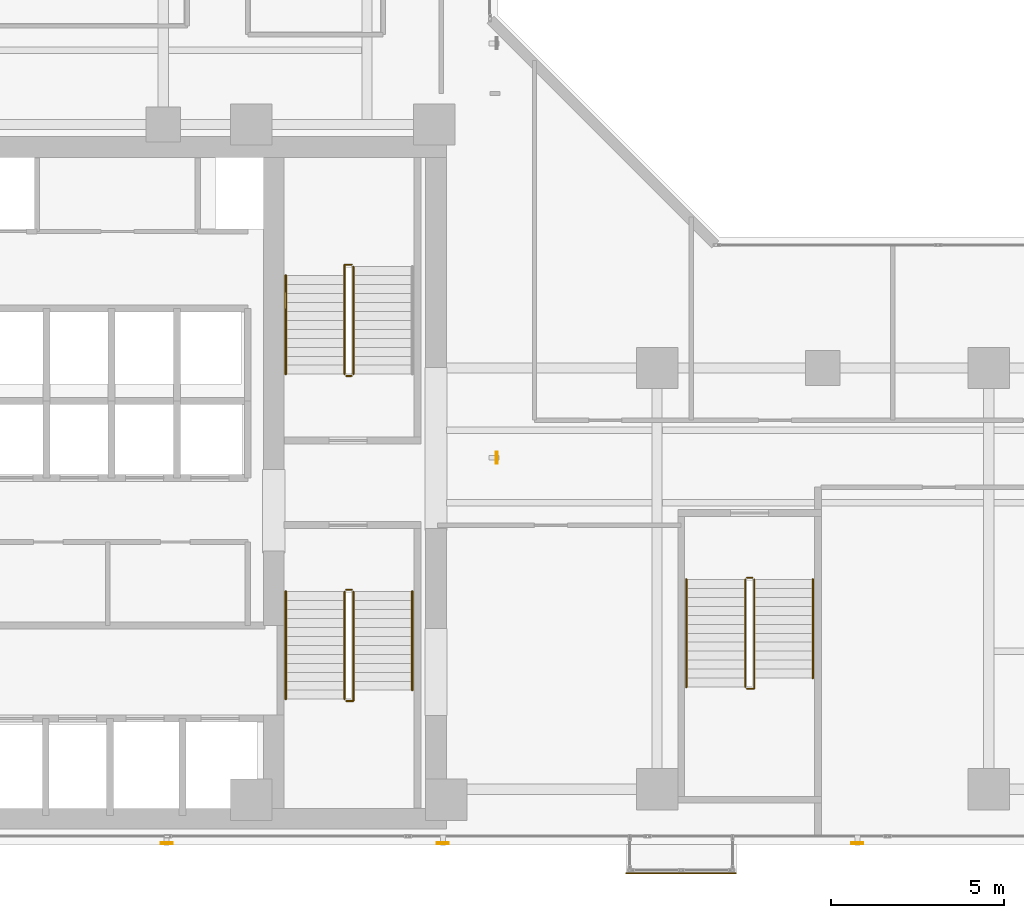
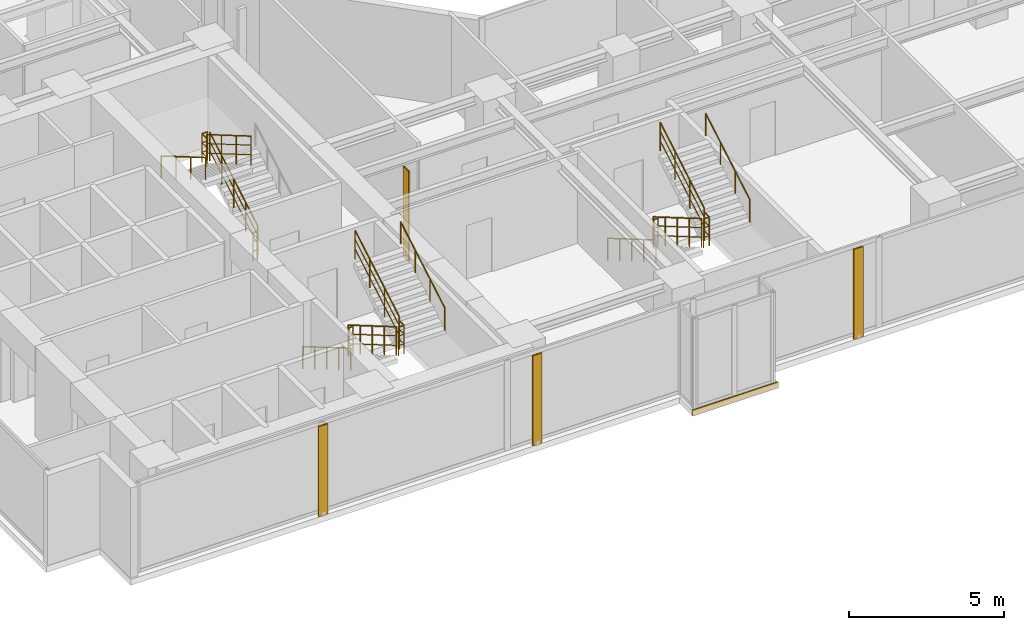
# One storey, part 23 of 24: 17 railings, 4 shading devices, 1 covering.
"""IFC4 building model written with IfcOpenShell, lengths in metres."""

from ifc_helpers import new_model, si_unit, direction, frame, origin, origin_2d, place, context, subcontext, project, spatial, rectangle, hollow_rectangle, circle, extrude, material, layer, layer_set, material_profile, profile_set, type_object, element, save


model = new_model("IFC4")

# Units and contexts
model_context = context("Model", 3, precision=1e-05, world=origin(), true_north=direction((0.0, 1.0)))
body_context = subcontext(model_context, "Body", "Model", "MODEL_VIEW")
ifc_project = project(units=[si_unit("LENGTHUNIT", "METRE"), si_unit("AREAUNIT", "SQUARE_METRE"), si_unit("VOLUMEUNIT", "CUBIC_METRE"), si_unit("PLANEANGLEUNIT", "RADIAN"), si_unit("MASSUNIT", "GRAM", prefix="KILO")], contexts=[model_context])

# Site, building, storey
site_placement = place(None, origin())
site = spatial("IfcSite", under=ifc_project, at=site_placement, CompositionType="ELEMENT")
building_placement = place(site_placement, origin())
building = spatial("IfcBuilding", under=site, at=building_placement, Name="Kolvaren Waterfront Exchange", CompositionType="ELEMENT")
storey_placement = place(building_placement, frame((0.0, 0.0, 153.800048828125)))
storey = spatial("IfcBuildingStorey", under=building, at=storey_placement, Name="L39", CompositionType="ELEMENT", Elevation=153.800048828125)

# Covering
ifc_material_1 = material(Name="Anodised bronze fascia aluminium", Category="aluminium")
ifc_layer = layer(ifc_material_1, 0.034912109375, Name="Anodised bronze fascia aluminium")
ifc_layer_set = layer_set([ifc_layer], Name="Anodised bronze fascia aluminium")
covering_type = type_object("IfcCoveringType", Name="ARC-CLAD-BRONZE-35", PredefinedType="CLADDING", material=ifc_layer_set)
covering_placement = place(storey_placement, frame((27.89990234375, 2.77001953125, -0.22021484375), z_axis=(0.0, 0.0, 1.0), x_axis=(1.0, 0.0, 0.0)))
element("IfcCovering", 1, at=covering_placement, inside=storey, type_object=covering_type, Name="L39 ribbed anodised bronze bay-box fascia", PredefinedType="CLADDING", context=body_context, shape_type="SweptSolid", body=[
    extrude(rectangle(XDim=3.199951171875, YDim=0.034912109375, at=origin_2d()), origin(), (0.0, 0.0, 1.0), 0.239990234375),
])

# Shading devices
ifc_material_2 = material(Name="Anodised bronze aluminium 6063-T6", Category="aluminium")
ifc_material_profile = material_profile(ifc_material_2, hollow_rectangle(XDim=0.06005859375, YDim=0.35009765625, WallThickness=0.0048828125, at=origin_2d()), Name="BRZ-FIN-350x60x5")
ifc_profile_set = profile_set([ifc_material_profile], Name="Anodised bronze aluminium 6063-T6")
shading_device_type = type_object("IfcShadingDeviceType", Name="ARC-FIN-350", PredefinedType="USERDEFINED", material=ifc_profile_set)
for number, where, z_axis, x_axis, name in (
    (2, (13.0, 3.639892578125, 0.0), (0.0, 0.0, 1.0), (0.0, -1.0, 0.0), "L39 anodised bronze solar shading fin FIN-L39-S1"),
    (3, (21.0, 3.639892578125, 0.0), (0.0, 0.0, 1.0), (0.0, -1.0, 0.0), "L39 anodised bronze solar shading fin FIN-L39-S2"),
    (4, (33.0, 3.639892578125, 0.0), (0.0, 0.0, 1.0), (0.0, -1.0, 0.0), "L39 anodised bronze solar shading fin FIN-L39-S3"),
    (5, (22.56005859375, 14.800048828125, 0.0), (0.0, 0.0, 1.0), (1.0, 0.0, 0.0), "L39 anodised bronze solar shading fin FIN-L39-E1"),
):
    element("IfcShadingDevice", number, at=place(storey_placement, frame(where, z_axis=z_axis, x_axis=x_axis)), inside=storey, type_object=shading_device_type, Name=name, ObjectType="SOLAR FIN", PredefinedType="USERDEFINED", context=body_context, shape_type="SweptSolid", body=[
        extrude(hollow_rectangle(XDim=0.06005859375, YDim=0.35009765625, WallThickness=0.0048828125, at=origin_2d()), origin(), (0.0, 0.0, 1.0), 3.56005859375),
    ])

# Railings
ifc_material_3 = material(Name="Stainless steel 316", Category="steel")
railing_type_1 = type_object("IfcRailingType", Name="ARC-GUARD-STAIR", PredefinedType="GUARDRAIL", material=ifc_material_3)
railing_1_placement = place(storey_placement, frame((18.14990234375, 10.929931640625, 0.15185546875)))
element("IfcRailing", 6, at=railing_1_placement, inside=storey, type_object=railing_type_1, Name="L39 ST1 stair guard 1", PredefinedType="GUARDRAIL", context=body_context, shape_type="SweptSolid", body=[
    extrude(circle(Radius=0.02392578125, at=origin_2d()), frame((0.0, 0.0, 1.1259765625), z_axis=(0.0, -0.86329090724, 0.504706656858), x_axis=(1.0, 0.0, 0.0)), (0.0, 0.0, 1.0), 3.614013671875),
    extrude(circle(Radius=0.01611328125, at=origin_2d()), frame((0.0, 0.0, 0.390869140625), z_axis=(0.0, -0.86329090724, 0.504706656858), x_axis=(1.0, 0.0, 0.0)), (0.0, 0.0, 1.0), 3.614013671875),
    extrude(circle(Radius=0.01611328125, at=origin_2d()), frame((0.0, 0.0, 0.7705078125), z_axis=(0.0, -0.86329090724, 0.504706656858), x_axis=(1.0, 0.0, 0.0)), (0.0, 0.0, 1.0), 3.614013671875),
    extrude(circle(Radius=0.02099609375, at=origin_2d()), origin(), (0.0, 0.0, 1.0), 1.101806640625),
    extrude(circle(Radius=0.02099609375, at=origin_2d()), frame((0.0, -0.780029296875, 0.4560546875)), (0.0, 0.0, 1.0), 1.101806640625),
    extrude(circle(Radius=0.02099609375, at=origin_2d()), frame((0.0, -1.56005859375, 0.912109375)), (0.0, 0.0, 1.0), 1.101806640625),
    extrude(circle(Radius=0.02099609375, at=origin_2d()), frame((0.0, -2.33984375, 1.367919921875)), (0.0, 0.0, 1.0), 1.101806640625),
    extrude(circle(Radius=0.02099609375, at=origin_2d()), frame((0.0, -3.119873046875, 1.823974609375)), (0.0, 0.0, 1.0), 1.101806640625),
])
railing_2_placement = place(storey_placement, frame((18.199951171875, 7.760009765625, 1.975830078125)))
element("IfcRailing", 7, at=railing_2_placement, inside=storey, type_object=railing_type_1, Name="L39 ST1 stair guard 2", PredefinedType="GUARDRAIL", context=body_context, shape_type="SweptSolid", body=[
    extrude(circle(Radius=0.02392578125, at=origin_2d()), frame((0.0, 0.0, 1.1259765625), z_axis=(1.0, 0.0, 0.0), x_axis=(0.0, 1.0, 0.0)), (0.0, 0.0, 1.0), 0.2099609375),
    extrude(circle(Radius=0.01611328125, at=origin_2d()), frame((0.0, 0.0, 0.390869140625), z_axis=(1.0, 0.0, 0.0), x_axis=(0.0, 1.0, 0.0)), (0.0, 0.0, 1.0), 0.2099609375),
    extrude(circle(Radius=0.01611328125, at=origin_2d()), frame((0.0, 0.0, 0.7705078125), z_axis=(1.0, 0.0, 0.0), x_axis=(0.0, 1.0, 0.0)), (0.0, 0.0, 1.0), 0.2099609375),
    extrude(circle(Radius=0.02392578125, at=origin_2d()), frame((0.2099609375, 0.0, 1.1259765625), z_axis=(0.0, 1.0, 0.0), x_axis=(-1.0, 0.0, 0.0)), (0.0, 0.0, 1.0), 0.31005859375),
    extrude(circle(Radius=0.01611328125, at=origin_2d()), frame((0.2099609375, 0.0, 0.390869140625), z_axis=(0.0, 1.0, 0.0), x_axis=(-1.0, 0.0, 0.0)), (0.0, 0.0, 1.0), 0.31005859375),
    extrude(circle(Radius=0.01611328125, at=origin_2d()), frame((0.2099609375, 0.0, 0.7705078125), z_axis=(0.0, 1.0, 0.0), x_axis=(-1.0, 0.0, 0.0)), (0.0, 0.0, 1.0), 0.31005859375),
    extrude(circle(Radius=0.02099609375, at=origin_2d()), origin(), (0.0, 0.0, 1.0), 1.101806640625),
    extrude(circle(Radius=0.02099609375, at=origin_2d()), frame((0.2099609375, 0.0, 0.0)), (0.0, 0.0, 1.0), 1.101806640625),
    extrude(circle(Radius=0.02099609375, at=origin_2d()), frame((0.2099609375, 0.31005859375, 0.0)), (0.0, 0.0, 1.0), 1.101806640625),
])
railing_3_placement = place(storey_placement, frame((18.409912109375, 8.070068359375, 2.1279296875)))
element("IfcRailing", 8, at=railing_3_placement, inside=storey, type_object=railing_type_1, Name="L39 ST1 stair guard 3", PredefinedType="GUARDRAIL", context=body_context, shape_type="SweptSolid", body=[
    extrude(circle(Radius=0.02392578125, at=origin_2d()), frame((0.0, 0.0, 1.1259765625), z_axis=(0.0, 0.863270611444, 0.50474137082), x_axis=(-1.0, 0.0, 0.0)), (0.0, 0.0, 1.0), 3.312744140625),
    extrude(circle(Radius=0.01611328125, at=origin_2d()), frame((0.0, 0.0, 0.390869140625), z_axis=(0.0, 0.863270611444, 0.50474137082), x_axis=(-1.0, 0.0, 0.0)), (0.0, 0.0, 1.0), 3.312744140625),
    extrude(circle(Radius=0.01611328125, at=origin_2d()), frame((0.0, 0.0, 0.7705078125), z_axis=(0.0, 0.863270611444, 0.50474137082), x_axis=(-1.0, 0.0, 0.0)), (0.0, 0.0, 1.0), 3.312744140625),
    extrude(circle(Radius=0.02099609375, at=origin_2d()), origin(), (0.0, 0.0, 1.0), 1.101806640625),
    extrude(circle(Radius=0.02099609375, at=origin_2d()), frame((0.0, 0.953369140625, 0.557373046875)), (0.0, 0.0, 1.0), 1.101806640625),
    extrude(circle(Radius=0.02099609375, at=origin_2d()), frame((0.0, 1.906494140625, 1.11474609375)), (0.0, 0.0, 1.0), 1.101806640625),
    extrude(circle(Radius=0.02099609375, at=origin_2d()), frame((0.0, 2.85986328125, 1.672119140625)), (0.0, 0.0, 1.0), 1.101806640625),
])
railing_4_placement = place(storey_placement, frame((18.199951171875, 10.97998046875, 0.0)))
element("IfcRailing", 9, at=railing_4_placement, inside=storey, type_object=railing_type_1, Name="L39 ST1 stair guard 4", PredefinedType="GUARDRAIL", context=body_context, shape_type="SweptSolid", body=[
    extrude(circle(Radius=0.02392578125, at=origin_2d()), frame((0.0, 0.0, 1.1259765625), z_axis=(1.0, 0.0, 0.0), x_axis=(0.0, 1.0, 0.0)), (0.0, 0.0, 1.0), 0.16015625),
    extrude(circle(Radius=0.01611328125, at=origin_2d()), frame((0.0, 0.0, 0.390869140625), z_axis=(1.0, 0.0, 0.0), x_axis=(0.0, 1.0, 0.0)), (0.0, 0.0, 1.0), 0.16015625),
    extrude(circle(Radius=0.01611328125, at=origin_2d()), frame((0.0, 0.0, 0.7705078125), z_axis=(1.0, 0.0, 0.0), x_axis=(0.0, 1.0, 0.0)), (0.0, 0.0, 1.0), 0.16015625),
    extrude(circle(Radius=0.02099609375, at=origin_2d()), origin(), (0.0, 0.0, 1.0), 1.101806640625),
    extrude(circle(Radius=0.02099609375, at=origin_2d()), frame((0.16015625, 0.0, 0.0)), (0.0, 0.0, 1.0), 1.101806640625),
])
railing_5_placement = place(storey_placement, frame((18.409912109375, 17.219970703125, 0.15185546875)))
element("IfcRailing", 10, at=railing_5_placement, inside=storey, type_object=railing_type_1, Name="L39 ST2 stair guard 1", PredefinedType="GUARDRAIL", context=body_context, shape_type="SweptSolid", body=[
    extrude(circle(Radius=0.02392578125, at=origin_2d()), frame((0.0, 0.0, 1.1259765625), z_axis=(0.0, 0.86330811405, 0.504677223793), x_axis=(-1.0, 0.0, 0.0)), (0.0, 0.0, 1.0), 3.6142578125),
    extrude(circle(Radius=0.01611328125, at=origin_2d()), frame((0.0, 0.0, 0.390869140625), z_axis=(0.0, 0.86330811405, 0.504677223793), x_axis=(-1.0, 0.0, 0.0)), (0.0, 0.0, 1.0), 3.6142578125),
    extrude(circle(Radius=0.01611328125, at=origin_2d()), frame((0.0, 0.0, 0.7705078125), z_axis=(0.0, 0.86330811405, 0.504677223793), x_axis=(-1.0, 0.0, 0.0)), (0.0, 0.0, 1.0), 3.6142578125),
    extrude(circle(Radius=0.02099609375, at=origin_2d()), origin(), (0.0, 0.0, 1.0), 1.101806640625),
    extrude(circle(Radius=0.02099609375, at=origin_2d()), frame((0.0, 0.780029296875, 0.4560546875)), (0.0, 0.0, 1.0), 1.101806640625),
    extrude(circle(Radius=0.02099609375, at=origin_2d()), frame((0.0, 1.56005859375, 0.912109375)), (0.0, 0.0, 1.0), 1.101806640625),
    extrude(circle(Radius=0.02099609375, at=origin_2d()), frame((0.0, 2.340087890625, 1.367919921875)), (0.0, 0.0, 1.0), 1.101806640625),
    extrude(circle(Radius=0.02099609375, at=origin_2d()), frame((0.0, 3.1201171875, 1.823974609375)), (0.0, 0.0, 1.0), 1.101806640625),
])
railing_6_placement = place(storey_placement, frame((18.360107421875, 20.389892578125, 1.975830078125)))
element("IfcRailing", 11, at=railing_6_placement, inside=storey, type_object=railing_type_1, Name="L39 ST2 stair guard 2", PredefinedType="GUARDRAIL", context=body_context, shape_type="SweptSolid", body=[
    extrude(circle(Radius=0.02392578125, at=origin_2d()), frame((0.0, 0.0, 1.1259765625), z_axis=(-1.0, 0.0, 0.0), x_axis=(0.0, -1.0, 0.0)), (0.0, 0.0, 1.0), 0.210205078125),
    extrude(circle(Radius=0.01611328125, at=origin_2d()), frame((0.0, 0.0, 0.390869140625), z_axis=(-1.0, 0.0, 0.0), x_axis=(0.0, -1.0, 0.0)), (0.0, 0.0, 1.0), 0.210205078125),
    extrude(circle(Radius=0.01611328125, at=origin_2d()), frame((0.0, 0.0, 0.7705078125), z_axis=(-1.0, 0.0, 0.0), x_axis=(0.0, -1.0, 0.0)), (0.0, 0.0, 1.0), 0.210205078125),
    extrude(circle(Radius=0.02392578125, at=origin_2d()), frame((-0.210205078125, 0.0, 1.1259765625), z_axis=(0.0, -1.0, 0.0), x_axis=(1.0, 0.0, 0.0)), (0.0, 0.0, 1.0), 0.309814453125),
    extrude(circle(Radius=0.01611328125, at=origin_2d()), frame((-0.210205078125, 0.0, 0.390869140625), z_axis=(0.0, -1.0, 0.0), x_axis=(1.0, 0.0, 0.0)), (0.0, 0.0, 1.0), 0.309814453125),
    extrude(circle(Radius=0.01611328125, at=origin_2d()), frame((-0.210205078125, 0.0, 0.7705078125), z_axis=(0.0, -1.0, 0.0), x_axis=(1.0, 0.0, 0.0)), (0.0, 0.0, 1.0), 0.309814453125),
    extrude(circle(Radius=0.02099609375, at=origin_2d()), origin(), (0.0, 0.0, 1.0), 1.101806640625),
    extrude(circle(Radius=0.02099609375, at=origin_2d()), frame((-0.210205078125, 0.0, 0.0)), (0.0, 0.0, 1.0), 1.101806640625),
    extrude(circle(Radius=0.02099609375, at=origin_2d()), frame((-0.210205078125, -0.309814453125, 0.0)), (0.0, 0.0, 1.0), 1.101806640625),
])
railing_7_placement = place(storey_placement, frame((18.14990234375, 20.080078125, 2.1279296875)))
element("IfcRailing", 12, at=railing_7_placement, inside=storey, type_object=railing_type_1, Name="L39 ST2 stair guard 3", PredefinedType="GUARDRAIL", context=body_context, shape_type="SweptSolid", body=[
    extrude(circle(Radius=0.02392578125, at=origin_2d()), frame((0.0, 0.0, 1.1259765625), z_axis=(0.0, -0.863289384635, 0.504709261235), x_axis=(1.0, 0.0, 0.0)), (0.0, 0.0, 1.0), 3.31298828125),
    extrude(circle(Radius=0.01611328125, at=origin_2d()), frame((0.0, 0.0, 0.390869140625), z_axis=(0.0, -0.863289384635, 0.504709261235), x_axis=(1.0, 0.0, 0.0)), (0.0, 0.0, 1.0), 3.31298828125),
    extrude(circle(Radius=0.01611328125, at=origin_2d()), frame((0.0, 0.0, 0.7705078125), z_axis=(0.0, -0.863289384635, 0.504709261235), x_axis=(1.0, 0.0, 0.0)), (0.0, 0.0, 1.0), 3.31298828125),
    extrude(circle(Radius=0.02099609375, at=origin_2d()), origin(), (0.0, 0.0, 1.0), 1.101806640625),
    extrude(circle(Radius=0.02099609375, at=origin_2d()), frame((0.0, -0.953369140625, 0.557373046875)), (0.0, 0.0, 1.0), 1.101806640625),
    extrude(circle(Radius=0.02099609375, at=origin_2d()), frame((0.0, -1.90673828125, 1.11474609375)), (0.0, 0.0, 1.0), 1.101806640625),
    extrude(circle(Radius=0.02099609375, at=origin_2d()), frame((0.0, -2.860107421875, 1.672119140625)), (0.0, 0.0, 1.0), 1.101806640625),
])
railing_8_placement = place(storey_placement, frame((18.360107421875, 17.169921875, 0.0)))
element("IfcRailing", 13, at=railing_8_placement, inside=storey, type_object=railing_type_1, Name="L39 ST2 stair guard 4", PredefinedType="GUARDRAIL", context=body_context, shape_type="SweptSolid", body=[
    extrude(circle(Radius=0.02392578125, at=origin_2d()), frame((0.0, 0.0, 1.1259765625), z_axis=(-1.0, 0.0, 0.0), x_axis=(0.0, -1.0, 0.0)), (0.0, 0.0, 1.0), 0.16015625),
    extrude(circle(Radius=0.01611328125, at=origin_2d()), frame((0.0, 0.0, 0.390869140625), z_axis=(-1.0, 0.0, 0.0), x_axis=(0.0, -1.0, 0.0)), (0.0, 0.0, 1.0), 0.16015625),
    extrude(circle(Radius=0.01611328125, at=origin_2d()), frame((0.0, 0.0, 0.7705078125), z_axis=(-1.0, 0.0, 0.0), x_axis=(0.0, -1.0, 0.0)), (0.0, 0.0, 1.0), 0.16015625),
    extrude(circle(Radius=0.02099609375, at=origin_2d()), origin(), (0.0, 0.0, 1.0), 1.101806640625),
    extrude(circle(Radius=0.02099609375, at=origin_2d()), frame((-0.16015625, 0.0, 0.0)), (0.0, 0.0, 1.0), 1.101806640625),
])
railing_9_placement = place(storey_placement, frame((29.75, 11.280029296875, 0.15185546875)))
element("IfcRailing", 14, at=railing_9_placement, inside=storey, type_object=railing_type_1, Name="L39 ST3 stair guard 1", PredefinedType="GUARDRAIL", context=body_context, shape_type="SweptSolid", body=[
    extrude(circle(Radius=0.02392578125, at=origin_2d()), frame((0.0, 0.0, 1.1259765625), z_axis=(0.0, -0.86330811405, 0.504677223793), x_axis=(1.0, 0.0, 0.0)), (0.0, 0.0, 1.0), 3.6142578125),
    extrude(circle(Radius=0.01611328125, at=origin_2d()), frame((0.0, 0.0, 0.390869140625), z_axis=(0.0, -0.86330811405, 0.504677223793), x_axis=(1.0, 0.0, 0.0)), (0.0, 0.0, 1.0), 3.6142578125),
    extrude(circle(Radius=0.01611328125, at=origin_2d()), frame((0.0, 0.0, 0.7705078125), z_axis=(0.0, -0.86330811405, 0.504677223793), x_axis=(1.0, 0.0, 0.0)), (0.0, 0.0, 1.0), 3.6142578125),
    extrude(circle(Radius=0.02099609375, at=origin_2d()), origin(), (0.0, 0.0, 1.0), 1.101806640625),
    extrude(circle(Radius=0.02099609375, at=origin_2d()), frame((0.0, -0.780029296875, 0.4560546875)), (0.0, 0.0, 1.0), 1.101806640625),
    extrude(circle(Radius=0.02099609375, at=origin_2d()), frame((0.0, -1.56005859375, 0.912109375)), (0.0, 0.0, 1.0), 1.101806640625),
    extrude(circle(Radius=0.02099609375, at=origin_2d()), frame((0.0, -2.340087890625, 1.367919921875)), (0.0, 0.0, 1.0), 1.101806640625),
    extrude(circle(Radius=0.02099609375, at=origin_2d()), frame((0.0, -3.1201171875, 1.823974609375)), (0.0, 0.0, 1.0), 1.101806640625),
])
railing_10_placement = place(storey_placement, frame((29.800048828125, 8.110107421875, 1.975830078125)))
element("IfcRailing", 15, at=railing_10_placement, inside=storey, type_object=railing_type_1, Name="L39 ST3 stair guard 2", PredefinedType="GUARDRAIL", context=body_context, shape_type="SweptSolid", body=[
    extrude(circle(Radius=0.02392578125, at=origin_2d()), frame((0.0, 0.0, 1.1259765625), z_axis=(1.0, 0.0, 0.0), x_axis=(0.0, 1.0, 0.0)), (0.0, 0.0, 1.0), 0.2099609375),
    extrude(circle(Radius=0.01611328125, at=origin_2d()), frame((0.0, 0.0, 0.390869140625), z_axis=(1.0, 0.0, 0.0), x_axis=(0.0, 1.0, 0.0)), (0.0, 0.0, 1.0), 0.2099609375),
    extrude(circle(Radius=0.01611328125, at=origin_2d()), frame((0.0, 0.0, 0.7705078125), z_axis=(1.0, 0.0, 0.0), x_axis=(0.0, 1.0, 0.0)), (0.0, 0.0, 1.0), 0.2099609375),
    extrude(circle(Radius=0.02392578125, at=origin_2d()), frame((0.2099609375, 0.0, 1.1259765625), z_axis=(0.0, 1.0, 0.0), x_axis=(-1.0, 0.0, 0.0)), (0.0, 0.0, 1.0), 0.309814453125),
    extrude(circle(Radius=0.01611328125, at=origin_2d()), frame((0.2099609375, 0.0, 0.390869140625), z_axis=(0.0, 1.0, 0.0), x_axis=(-1.0, 0.0, 0.0)), (0.0, 0.0, 1.0), 0.309814453125),
    extrude(circle(Radius=0.01611328125, at=origin_2d()), frame((0.2099609375, 0.0, 0.7705078125), z_axis=(0.0, 1.0, 0.0), x_axis=(-1.0, 0.0, 0.0)), (0.0, 0.0, 1.0), 0.309814453125),
    extrude(circle(Radius=0.02099609375, at=origin_2d()), origin(), (0.0, 0.0, 1.0), 1.101806640625),
    extrude(circle(Radius=0.02099609375, at=origin_2d()), frame((0.2099609375, 0.0, 0.0)), (0.0, 0.0, 1.0), 1.101806640625),
    extrude(circle(Radius=0.02099609375, at=origin_2d()), frame((0.2099609375, 0.309814453125, 0.0)), (0.0, 0.0, 1.0), 1.101806640625),
])
railing_11_placement = place(storey_placement, frame((30.010009765625, 8.419921875, 2.1279296875)))
element("IfcRailing", 16, at=railing_11_placement, inside=storey, type_object=railing_type_1, Name="L39 ST3 stair guard 3", PredefinedType="GUARDRAIL", context=body_context, shape_type="SweptSolid", body=[
    extrude(circle(Radius=0.02392578125, at=origin_2d()), frame((0.0, 0.0, 1.1259765625), z_axis=(0.0, 0.863289384635, 0.504709261235), x_axis=(-1.0, 0.0, 0.0)), (0.0, 0.0, 1.0), 3.31298828125),
    extrude(circle(Radius=0.01611328125, at=origin_2d()), frame((0.0, 0.0, 0.390869140625), z_axis=(0.0, 0.863289384635, 0.504709261235), x_axis=(-1.0, 0.0, 0.0)), (0.0, 0.0, 1.0), 3.31298828125),
    extrude(circle(Radius=0.01611328125, at=origin_2d()), frame((0.0, 0.0, 0.7705078125), z_axis=(0.0, 0.863289384635, 0.504709261235), x_axis=(-1.0, 0.0, 0.0)), (0.0, 0.0, 1.0), 3.31298828125),
    extrude(circle(Radius=0.02099609375, at=origin_2d()), origin(), (0.0, 0.0, 1.0), 1.101806640625),
    extrude(circle(Radius=0.02099609375, at=origin_2d()), frame((0.0, 0.953369140625, 0.557373046875)), (0.0, 0.0, 1.0), 1.101806640625),
    extrude(circle(Radius=0.02099609375, at=origin_2d()), frame((0.0, 1.90673828125, 1.11474609375)), (0.0, 0.0, 1.0), 1.101806640625),
    extrude(circle(Radius=0.02099609375, at=origin_2d()), frame((0.0, 2.860107421875, 1.672119140625)), (0.0, 0.0, 1.0), 1.101806640625),
])
railing_12_placement = place(storey_placement, frame((29.800048828125, 11.330078125, 0.0)))
element("IfcRailing", 17, at=railing_12_placement, inside=storey, type_object=railing_type_1, Name="L39 ST3 stair guard 4", PredefinedType="GUARDRAIL", context=body_context, shape_type="SweptSolid", body=[
    extrude(circle(Radius=0.02392578125, at=origin_2d()), frame((0.0, 0.0, 1.1259765625), z_axis=(1.0, 0.0, 0.0), x_axis=(0.0, 1.0, 0.0)), (0.0, 0.0, 1.0), 0.159912109375),
    extrude(circle(Radius=0.01611328125, at=origin_2d()), frame((0.0, 0.0, 0.390869140625), z_axis=(1.0, 0.0, 0.0), x_axis=(0.0, 1.0, 0.0)), (0.0, 0.0, 1.0), 0.159912109375),
    extrude(circle(Radius=0.01611328125, at=origin_2d()), frame((0.0, 0.0, 0.7705078125), z_axis=(1.0, 0.0, 0.0), x_axis=(0.0, 1.0, 0.0)), (0.0, 0.0, 1.0), 0.159912109375),
    extrude(circle(Radius=0.02099609375, at=origin_2d()), origin(), (0.0, 0.0, 1.0), 1.101806640625),
    extrude(circle(Radius=0.02099609375, at=origin_2d()), frame((0.159912109375, 0.0, 0.0)), (0.0, 0.0, 1.0), 1.101806640625),
])
railing_type_2 = type_object("IfcRailingType", Name="ARC-HANDRAIL-900", PredefinedType="HANDRAIL", material=ifc_material_3)
railing_13_placement = place(storey_placement, frame((16.449951171875, 10.929931640625, 0.15185546875)))
element("IfcRailing", 18, at=railing_13_placement, inside=storey, type_object=railing_type_2, Name="L39 ST1 stair handrail 1", PredefinedType="HANDRAIL", context=body_context, shape_type="SweptSolid", body=[
    extrude(circle(Radius=0.02392578125, at=origin_2d()), frame((0.0, 0.0, 0.8759765625), z_axis=(0.0, -0.86329090724, 0.504706656858), x_axis=(1.0, 0.0, 0.0)), (0.0, 0.0, 1.0), 3.614013671875),
    extrude(circle(Radius=0.02099609375, at=origin_2d()), origin(), (0.0, 0.0, 1.0), 0.851806640625),
    extrude(circle(Radius=0.02099609375, at=origin_2d()), frame((0.0, -0.780029296875, 0.4560546875)), (0.0, 0.0, 1.0), 0.851806640625),
    extrude(circle(Radius=0.02099609375, at=origin_2d()), frame((0.0, -1.56005859375, 0.912109375)), (0.0, 0.0, 1.0), 0.851806640625),
    extrude(circle(Radius=0.02099609375, at=origin_2d()), frame((0.0, -2.33984375, 1.367919921875)), (0.0, 0.0, 1.0), 0.851806640625),
    extrude(circle(Radius=0.02099609375, at=origin_2d()), frame((0.0, -3.119873046875, 1.823974609375)), (0.0, 0.0, 1.0), 0.851806640625),
])
railing_14_placement = place(storey_placement, frame((20.110107421875, 8.070068359375, 2.1279296875)))
element("IfcRailing", 19, at=railing_14_placement, inside=storey, type_object=railing_type_2, Name="L39 ST1 stair handrail 2", PredefinedType="HANDRAIL", context=body_context, shape_type="SweptSolid", body=[
    extrude(circle(Radius=0.02392578125, at=origin_2d()), frame((0.0, 0.0, 0.8759765625), z_axis=(0.0, 0.863270611444, 0.50474137082), x_axis=(-1.0, 0.0, 0.0)), (0.0, 0.0, 1.0), 3.312744140625),
    extrude(circle(Radius=0.02099609375, at=origin_2d()), origin(), (0.0, 0.0, 1.0), 0.851806640625),
    extrude(circle(Radius=0.02099609375, at=origin_2d()), frame((0.0, 0.953369140625, 0.557373046875)), (0.0, 0.0, 1.0), 0.851806640625),
    extrude(circle(Radius=0.02099609375, at=origin_2d()), frame((0.0, 1.906494140625, 1.11474609375)), (0.0, 0.0, 1.0), 0.851806640625),
    extrude(circle(Radius=0.02099609375, at=origin_2d()), frame((0.0, 2.85986328125, 1.672119140625)), (0.0, 0.0, 1.0), 0.851806640625),
])
railing_15_placement = place(storey_placement, frame((16.449951171875, 20.080078125, 2.1279296875)))
element("IfcRailing", 20, at=railing_15_placement, inside=storey, type_object=railing_type_2, Name="L39 ST2 stair handrail 2", PredefinedType="HANDRAIL", context=body_context, shape_type="SweptSolid", body=[
    extrude(circle(Radius=0.02392578125, at=origin_2d()), frame((0.0, 0.0, 0.8759765625), z_axis=(0.0, -0.863289384635, 0.504709261235), x_axis=(1.0, 0.0, 0.0)), (0.0, 0.0, 1.0), 3.31298828125),
    extrude(circle(Radius=0.02099609375, at=origin_2d()), origin(), (0.0, 0.0, 1.0), 0.851806640625),
    extrude(circle(Radius=0.02099609375, at=origin_2d()), frame((0.0, -0.953369140625, 0.557373046875)), (0.0, 0.0, 1.0), 0.851806640625),
    extrude(circle(Radius=0.02099609375, at=origin_2d()), frame((0.0, -1.90673828125, 1.11474609375)), (0.0, 0.0, 1.0), 0.851806640625),
    extrude(circle(Radius=0.02099609375, at=origin_2d()), frame((0.0, -2.860107421875, 1.672119140625)), (0.0, 0.0, 1.0), 0.851806640625),
])
railing_16_placement = place(storey_placement, frame((28.050048828125, 11.280029296875, 0.15185546875)))
element("IfcRailing", 21, at=railing_16_placement, inside=storey, type_object=railing_type_2, Name="L39 ST3 stair handrail 1", PredefinedType="HANDRAIL", context=body_context, shape_type="SweptSolid", body=[
    extrude(circle(Radius=0.02392578125, at=origin_2d()), frame((0.0, 0.0, 0.8759765625), z_axis=(0.0, -0.86330811405, 0.504677223793), x_axis=(1.0, 0.0, 0.0)), (0.0, 0.0, 1.0), 3.6142578125),
    extrude(circle(Radius=0.02099609375, at=origin_2d()), origin(), (0.0, 0.0, 1.0), 0.851806640625),
    extrude(circle(Radius=0.02099609375, at=origin_2d()), frame((0.0, -0.780029296875, 0.4560546875)), (0.0, 0.0, 1.0), 0.851806640625),
    extrude(circle(Radius=0.02099609375, at=origin_2d()), frame((0.0, -1.56005859375, 0.912109375)), (0.0, 0.0, 1.0), 0.851806640625),
    extrude(circle(Radius=0.02099609375, at=origin_2d()), frame((0.0, -2.340087890625, 1.367919921875)), (0.0, 0.0, 1.0), 0.851806640625),
    extrude(circle(Radius=0.02099609375, at=origin_2d()), frame((0.0, -3.1201171875, 1.823974609375)), (0.0, 0.0, 1.0), 0.851806640625),
])
railing_17_placement = place(storey_placement, frame((31.7099609375, 8.419921875, 2.1279296875)))
element("IfcRailing", 22, at=railing_17_placement, inside=storey, type_object=railing_type_2, Name="L39 ST3 stair handrail 2", PredefinedType="HANDRAIL", context=body_context, shape_type="SweptSolid", body=[
    extrude(circle(Radius=0.02392578125, at=origin_2d()), frame((0.0, 0.0, 0.8759765625), z_axis=(0.0, 0.863289384635, 0.504709261235), x_axis=(-1.0, 0.0, 0.0)), (0.0, 0.0, 1.0), 3.31298828125),
    extrude(circle(Radius=0.02099609375, at=origin_2d()), origin(), (0.0, 0.0, 1.0), 0.851806640625),
    extrude(circle(Radius=0.02099609375, at=origin_2d()), frame((0.0, 0.953369140625, 0.557373046875)), (0.0, 0.0, 1.0), 0.851806640625),
    extrude(circle(Radius=0.02099609375, at=origin_2d()), frame((0.0, 1.90673828125, 1.11474609375)), (0.0, 0.0, 1.0), 0.851806640625),
    extrude(circle(Radius=0.02099609375, at=origin_2d()), frame((0.0, 2.860107421875, 1.672119140625)), (0.0, 0.0, 1.0), 0.851806640625),
])

save(model, "model.ifc")
